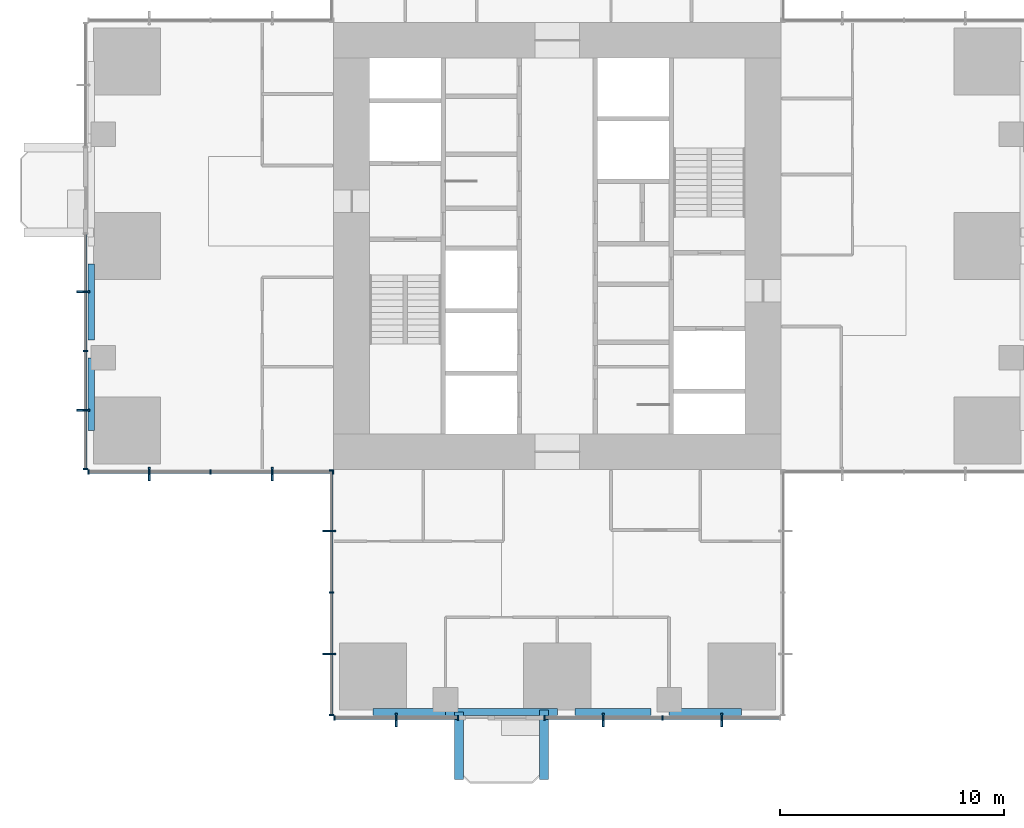
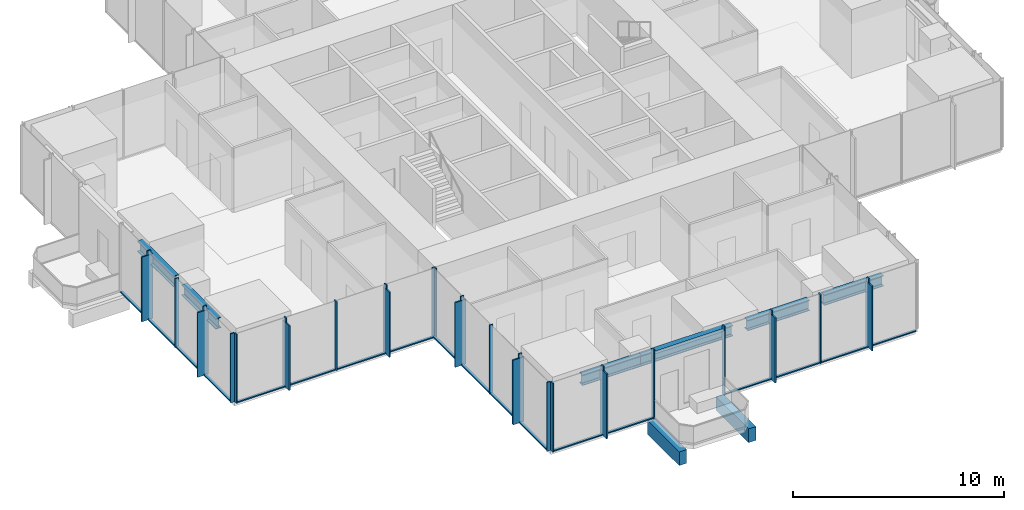
# One storey, part 2 of 13: 48 members, 8 beams, 5 elements without a shape of their own.
"""IFC4 building model written with IfcOpenShell, lengths in metres."""

from ifc_helpers import new_model, si_unit, direction, frame, origin, origin_2d, place, context, subcontext, project, spatial, rectangle, i_section, extrude, material, material_profile, profile_set, type_object, element, aggregate, save


model = new_model("IFC4")

# Units and contexts
model_context = context("Model", 3, precision=1e-05, world=origin(), true_north=direction((0.0, 1.0)))
body_context = subcontext(model_context, "Body", "Model", "MODEL_VIEW")
ifc_project = project(units=[si_unit("LENGTHUNIT", "METRE"), si_unit("AREAUNIT", "SQUARE_METRE"), si_unit("VOLUMEUNIT", "CUBIC_METRE"), si_unit("PLANEANGLEUNIT", "RADIAN"), si_unit("MASSUNIT", "GRAM", prefix="KILO")], contexts=[model_context])

# Site, building, storey
site_placement = place(None, origin())
site = spatial("IfcSite", under=ifc_project, at=site_placement, CompositionType="ELEMENT")
building_placement = place(site_placement, origin())
building = spatial("IfcBuilding", under=site, at=building_placement, Name="Svetlomir Tower", CompositionType="ELEMENT")
storey_placement = place(building_placement, frame((0.0, 0.0, 132.5)))
storey = spatial("IfcBuildingStorey", under=building, at=storey_placement, Name="L31", CompositionType="ELEMENT", Elevation=132.5)

# Beams
ifc_material_1 = material(Name="Concrete C60/75", Category="concrete")
ifc_material_profile_1 = material_profile(ifc_material_1, rectangle(XDim=0.39990234375, YDim=0.800048828125, at=origin_2d()), Name="RC 400x800")
ifc_profile_set_1 = profile_set([ifc_material_profile_1], Name="Concrete C60/75")
beam_type_1 = type_object("IfcBeamType", Name="BALCONY RIB RC 400x800", PredefinedType="BEAM", material=ifc_profile_set_1)
beam_1_placement = place(storey_placement, frame((16.60009765625, 0.14990234375, -0.64990234375), z_axis=(0.0, -1.0, 0.0), x_axis=(1.0, 0.0, 0.0)))
element("IfcBeam", 1, at=beam_1_placement, inside=storey, type_object=beam_type_1, Name="Balcony rib S 1 L31", PredefinedType="BEAM", context=body_context, shape_type="SweptSolid", body=[
    extrude(rectangle(XDim=0.39990234375, YDim=0.800048828125, at=origin_2d()), origin(), (0.0, 0.0, 1.0), 3.0),
])
beam_2_placement = place(storey_placement, frame((20.39990234375, 0.25, -0.64990234375), z_axis=(0.0, -1.0, 0.0), x_axis=(1.0, 0.0, 0.0)))
element("IfcBeam", 2, at=beam_2_placement, inside=storey, type_object=beam_type_1, Name="Balcony rib S 2 L31", PredefinedType="BEAM", context=body_context, shape_type="SweptSolid", body=[
    extrude(rectangle(XDim=0.39990234375, YDim=0.800048828125, at=origin_2d()), origin(), (0.0, 0.0, 1.0), 3.10009765625),
])

# Curtain wall, member
ifc_material_2 = material(Name="Bronze anodised aluminium curtain wall", Category="aluminium")
curtain_wall_type = type_object("IfcCurtainWallType", Name="CURTAIN WALL CW1 TOWER OFFICE", PredefinedType="NOTDEFINED", material=ifc_material_2)
curtain_wall_1_placement = place(storey_placement, origin())
curtain_wall_1 = element("IfcCurtainWall", 3, at=curtain_wall_1_placement, inside=storey, type_object=curtain_wall_type, Name="Curtain wall CW1 L31", PredefinedType="NOTDEFINED")
ifc_material_3 = material(Name="Bronze anodised aluminium", Category="aluminium")
ifc_material_profile_2 = material_profile(ifc_material_3, rectangle(XDim=0.080078125, YDim=0.60009765625, at=origin_2d()), Name="FIN 80x600")
ifc_profile_set_2 = profile_set([ifc_material_profile_2], Name="Bronze anodised aluminium 6063-T6")
member_type_1 = type_object("IfcMemberType", Name="BRONZE FIN 80x600", PredefinedType="USERDEFINED", material=ifc_profile_set_2)
member_1_placement = place(storey_placement, frame((13.800048828125, -0.199951171875, 0.0), z_axis=(0.0, 0.0, 1.0), x_axis=(1.0, 0.0, 0.0)))
member_1 = element("IfcMember", 4, at=member_1_placement, type_object=member_type_1, Name="Bronze fin L31", ObjectType="FIN", PredefinedType="USERDEFINED", context=body_context, shape_type="SweptSolid", body=[
    extrude(rectangle(XDim=0.080078125, YDim=0.60009765625, at=origin_2d()), origin(), (0.0, 0.0, 1.0), 3.75),
])

# Curtain wall, members
curtain_wall_2_placement = place(storey_placement, origin())
curtain_wall_2 = element("IfcCurtainWall", 5, at=curtain_wall_2_placement, inside=storey, type_object=curtain_wall_type, Name="Curtain wall CW1 L31", PredefinedType="NOTDEFINED")
member_2_placement = place(storey_placement, frame((23.050048828125, -0.199951171875, 0.0), z_axis=(0.0, 0.0, 1.0), x_axis=(1.0, 0.0, 0.0)))
member_2 = element("IfcMember", 6, at=member_2_placement, type_object=member_type_1, Name="Bronze fin L31", ObjectType="FIN", PredefinedType="USERDEFINED", context=body_context, shape_type="SweptSolid", body=[
    extrude(rectangle(XDim=0.080078125, YDim=0.60009765625, at=origin_2d()), origin(), (0.0, 0.0, 1.0), 3.75),
])
member_3_placement = place(storey_placement, frame((28.35009765625, -0.199951171875, 0.0), z_axis=(0.0, 0.0, 1.0), x_axis=(1.0, 0.0, 0.0)))
member_3 = element("IfcMember", 7, at=member_3_placement, type_object=member_type_1, Name="Bronze fin L31", ObjectType="FIN", PredefinedType="USERDEFINED", context=body_context, shape_type="SweptSolid", body=[
    extrude(rectangle(XDim=0.080078125, YDim=0.60009765625, at=origin_2d()), origin(), (0.0, 0.0, 1.0), 3.75),
])

curtain_wall_3_placement = place(storey_placement, origin())
curtain_wall_3 = element("IfcCurtainWall", 8, at=curtain_wall_3_placement, inside=storey, type_object=curtain_wall_type, Name="Curtain wall CW1 L31", PredefinedType="NOTDEFINED")
member_4_placement = place(storey_placement, frame((-0.199951171875, 18.949951171875, 0.0), z_axis=(0.0, 0.0, 1.0), x_axis=(0.0, 1.0, 0.0)))
member_4 = element("IfcMember", 9, at=member_4_placement, type_object=member_type_1, Name="Bronze fin L31", ObjectType="FIN", PredefinedType="USERDEFINED", context=body_context, shape_type="SweptSolid", body=[
    extrude(rectangle(XDim=0.080078125, YDim=0.60009765625, at=origin_2d()), origin(), (0.0, 0.0, 1.0), 3.75),
])
member_5_placement = place(storey_placement, frame((-0.199951171875, 13.64990234375, 0.0), z_axis=(0.0, 0.0, 1.0), x_axis=(0.0, 1.0, 0.0)))
member_5 = element("IfcMember", 10, at=member_5_placement, type_object=member_type_1, Name="Bronze fin L31", ObjectType="FIN", PredefinedType="USERDEFINED", context=body_context, shape_type="SweptSolid", body=[
    extrude(rectangle(XDim=0.080078125, YDim=0.60009765625, at=origin_2d()), origin(), (0.0, 0.0, 1.0), 3.75),
])

curtain_wall_4_placement = place(storey_placement, origin())
curtain_wall_4 = element("IfcCurtainWall", 11, at=curtain_wall_4_placement, inside=storey, type_object=curtain_wall_type, Name="Curtain wall CW1 L31", PredefinedType="NOTDEFINED")
member_6_placement = place(storey_placement, frame((2.75, 10.800048828125, 0.0), z_axis=(0.0, 0.0, 1.0), x_axis=(1.0, 0.0, 0.0)))
member_6 = element("IfcMember", 12, at=member_6_placement, type_object=member_type_1, Name="Bronze fin L31", ObjectType="FIN", PredefinedType="USERDEFINED", context=body_context, shape_type="SweptSolid", body=[
    extrude(rectangle(XDim=0.080078125, YDim=0.60009765625, at=origin_2d()), origin(), (0.0, 0.0, 1.0), 3.75),
])
member_7_placement = place(storey_placement, frame((8.25, 10.800048828125, 0.0), z_axis=(0.0, 0.0, 1.0), x_axis=(1.0, 0.0, 0.0)))
member_7 = element("IfcMember", 13, at=member_7_placement, type_object=member_type_1, Name="Bronze fin L31", ObjectType="FIN", PredefinedType="USERDEFINED", context=body_context, shape_type="SweptSolid", body=[
    extrude(rectangle(XDim=0.080078125, YDim=0.60009765625, at=origin_2d()), origin(), (0.0, 0.0, 1.0), 3.75),
])

curtain_wall_5_placement = place(storey_placement, origin())
curtain_wall_5 = element("IfcCurtainWall", 14, at=curtain_wall_5_placement, inside=storey, type_object=curtain_wall_type, Name="Curtain wall CW1 L31", PredefinedType="NOTDEFINED")
member_8_placement = place(storey_placement, frame((10.800048828125, 8.25, 0.0), z_axis=(0.0, 0.0, 1.0), x_axis=(0.0, 1.0, 0.0)))
member_8 = element("IfcMember", 15, at=member_8_placement, type_object=member_type_1, Name="Bronze fin L31", ObjectType="FIN", PredefinedType="USERDEFINED", context=body_context, shape_type="SweptSolid", body=[
    extrude(rectangle(XDim=0.080078125, YDim=0.60009765625, at=origin_2d()), origin(), (0.0, 0.0, 1.0), 3.75),
])
member_9_placement = place(storey_placement, frame((10.800048828125, 2.75, 0.0), z_axis=(0.0, 0.0, 1.0), x_axis=(0.0, 1.0, 0.0)))
member_9 = element("IfcMember", 16, at=member_9_placement, type_object=member_type_1, Name="Bronze fin L31", ObjectType="FIN", PredefinedType="USERDEFINED", context=body_context, shape_type="SweptSolid", body=[
    extrude(rectangle(XDim=0.080078125, YDim=0.60009765625, at=origin_2d()), origin(), (0.0, 0.0, 1.0), 3.75),
])

# Member
ifc_material_4 = material(Name="Bronze anodised aluminium", Category="aluminium")
ifc_material_profile_3 = material_profile(ifc_material_4, rectangle(XDim=0.06494140625, YDim=0.199951171875, at=origin_2d()), Name="AL 65x200")
ifc_profile_set_3 = profile_set([ifc_material_profile_3], Name="Bronze anodised aluminium 6063-T6")
member_type_2 = type_object("IfcMemberType", Name="CW1 MULLION 65x200", PredefinedType="MULLION", material=ifc_profile_set_3)
member_10_placement = place(storey_placement, frame((11.032470703125, -0.10009765625, 0.0), z_axis=(0.0, 0.0, 1.0), x_axis=(1.0, 0.0, 0.0)))
member_10 = element("IfcMember", 17, at=member_10_placement, type_object=member_type_2, Name="CW1 mullion 1", PredefinedType="MULLION", context=body_context, shape_type="SweptSolid", body=[
    extrude(rectangle(XDim=0.06494140625, YDim=0.199951171875, at=origin_2d()), origin(), (0.0, 0.0, 1.0), 4.0),
])

member_11_placement = place(storey_placement, frame((13.800048828125, -0.10009765625, 0.0), z_axis=(0.0, 0.0, 1.0), x_axis=(1.0, 0.0, 0.0)))
member_11 = element("IfcMember", 18, at=member_11_placement, type_object=member_type_2, Name="CW1 mullion 2", PredefinedType="MULLION", context=body_context, shape_type="SweptSolid", body=[
    extrude(rectangle(XDim=0.06494140625, YDim=0.199951171875, at=origin_2d()), origin(), (0.0, 0.0, 1.0), 4.0),
])

member_12_placement = place(storey_placement, frame((16.5673828125, -0.10009765625, 0.0), z_axis=(0.0, 0.0, 1.0), x_axis=(1.0, 0.0, 0.0)))
member_12 = element("IfcMember", 19, at=member_12_placement, type_object=member_type_2, Name="CW1 mullion 3", PredefinedType="MULLION", context=body_context, shape_type="SweptSolid", body=[
    extrude(rectangle(XDim=0.06494140625, YDim=0.199951171875, at=origin_2d()), origin(), (0.0, 0.0, 1.0), 4.0),
])

member_13_placement = place(storey_placement, frame((20.4326171875, -0.10009765625, 0.0), z_axis=(0.0, 0.0, 1.0), x_axis=(1.0, 0.0, 0.0)))
member_13 = element("IfcMember", 20, at=member_13_placement, type_object=member_type_2, Name="CW1 mullion 1", PredefinedType="MULLION", context=body_context, shape_type="SweptSolid", body=[
    extrude(rectangle(XDim=0.06494140625, YDim=0.199951171875, at=origin_2d()), origin(), (0.0, 0.0, 1.0), 4.0),
])

member_14_placement = place(storey_placement, frame((23.050048828125, -0.10009765625, 0.0), z_axis=(0.0, 0.0, 1.0), x_axis=(1.0, 0.0, 0.0)))
member_14 = element("IfcMember", 21, at=member_14_placement, type_object=member_type_2, Name="CW1 mullion 2", PredefinedType="MULLION", context=body_context, shape_type="SweptSolid", body=[
    extrude(rectangle(XDim=0.06494140625, YDim=0.199951171875, at=origin_2d()), origin(), (0.0, 0.0, 1.0), 4.0),
])

member_15_placement = place(storey_placement, frame((25.699951171875, -0.10009765625, 0.0), z_axis=(0.0, 0.0, 1.0), x_axis=(1.0, 0.0, 0.0)))
member_15 = element("IfcMember", 22, at=member_15_placement, type_object=member_type_2, Name="CW1 mullion 3", PredefinedType="MULLION", context=body_context, shape_type="SweptSolid", body=[
    extrude(rectangle(XDim=0.06494140625, YDim=0.199951171875, at=origin_2d()), origin(), (0.0, 0.0, 1.0), 4.0),
])

member_16_placement = place(storey_placement, frame((28.35009765625, -0.10009765625, 0.0), z_axis=(0.0, 0.0, 1.0), x_axis=(1.0, 0.0, 0.0)))
member_16 = element("IfcMember", 23, at=member_16_placement, type_object=member_type_2, Name="CW1 mullion 4", PredefinedType="MULLION", context=body_context, shape_type="SweptSolid", body=[
    extrude(rectangle(XDim=0.06494140625, YDim=0.199951171875, at=origin_2d()), origin(), (0.0, 0.0, 1.0), 4.0),
])

member_17_placement = place(storey_placement, frame((-0.10009765625, 18.949951171875, 0.0), z_axis=(0.0, 0.0, 1.0), x_axis=(0.0, -1.0, 0.0)))
member_17 = element("IfcMember", 24, at=member_17_placement, type_object=member_type_2, Name="CW1 mullion 2", PredefinedType="MULLION", context=body_context, shape_type="SweptSolid", body=[
    extrude(rectangle(XDim=0.06494140625, YDim=0.199951171875, at=origin_2d()), origin(), (0.0, 0.0, 1.0), 4.0),
])

member_18_placement = place(storey_placement, frame((-0.10009765625, 16.300048828125, 0.0), z_axis=(0.0, 0.0, 1.0), x_axis=(0.0, -1.0, 0.0)))
member_18 = element("IfcMember", 25, at=member_18_placement, type_object=member_type_2, Name="CW1 mullion 3", PredefinedType="MULLION", context=body_context, shape_type="SweptSolid", body=[
    extrude(rectangle(XDim=0.06494140625, YDim=0.199951171875, at=origin_2d()), origin(), (0.0, 0.0, 1.0), 4.0),
])

member_19_placement = place(storey_placement, frame((-0.10009765625, 13.64990234375, 0.0), z_axis=(0.0, 0.0, 1.0), x_axis=(0.0, -1.0, 0.0)))
member_19 = element("IfcMember", 26, at=member_19_placement, type_object=member_type_2, Name="CW1 mullion 4", PredefinedType="MULLION", context=body_context, shape_type="SweptSolid", body=[
    extrude(rectangle(XDim=0.06494140625, YDim=0.199951171875, at=origin_2d()), origin(), (0.0, 0.0, 1.0), 4.0),
])

member_20_placement = place(storey_placement, frame((-0.10009765625, 11.032470703125, 0.0), z_axis=(0.0, 0.0, 1.0), x_axis=(0.0, -1.0, 0.0)))
member_20 = element("IfcMember", 27, at=member_20_placement, type_object=member_type_2, Name="CW1 mullion 5", PredefinedType="MULLION", context=body_context, shape_type="SweptSolid", body=[
    extrude(rectangle(XDim=0.06494140625, YDim=0.199951171875, at=origin_2d()), origin(), (0.0, 0.0, 1.0), 4.0),
])

member_21_placement = place(storey_placement, frame((0.032470703125, 10.89990234375, 0.0), z_axis=(0.0, 0.0, 1.0), x_axis=(1.0, 0.0, 0.0)))
member_21 = element("IfcMember", 28, at=member_21_placement, type_object=member_type_2, Name="CW1 mullion 1", PredefinedType="MULLION", context=body_context, shape_type="SweptSolid", body=[
    extrude(rectangle(XDim=0.06494140625, YDim=0.199951171875, at=origin_2d()), origin(), (0.0, 0.0, 1.0), 4.0),
])

member_22_placement = place(storey_placement, frame((2.75, 10.89990234375, 0.0), z_axis=(0.0, 0.0, 1.0), x_axis=(1.0, 0.0, 0.0)))
member_22 = element("IfcMember", 29, at=member_22_placement, type_object=member_type_2, Name="CW1 mullion 2", PredefinedType="MULLION", context=body_context, shape_type="SweptSolid", body=[
    extrude(rectangle(XDim=0.06494140625, YDim=0.199951171875, at=origin_2d()), origin(), (0.0, 0.0, 1.0), 4.0),
])

member_23_placement = place(storey_placement, frame((5.5, 10.89990234375, 0.0), z_axis=(0.0, 0.0, 1.0), x_axis=(1.0, 0.0, 0.0)))
member_23 = element("IfcMember", 30, at=member_23_placement, type_object=member_type_2, Name="CW1 mullion 3", PredefinedType="MULLION", context=body_context, shape_type="SweptSolid", body=[
    extrude(rectangle(XDim=0.06494140625, YDim=0.199951171875, at=origin_2d()), origin(), (0.0, 0.0, 1.0), 4.0),
])

member_24_placement = place(storey_placement, frame((8.25, 10.89990234375, 0.0), z_axis=(0.0, 0.0, 1.0), x_axis=(1.0, 0.0, 0.0)))
member_24 = element("IfcMember", 31, at=member_24_placement, type_object=member_type_2, Name="CW1 mullion 4", PredefinedType="MULLION", context=body_context, shape_type="SweptSolid", body=[
    extrude(rectangle(XDim=0.06494140625, YDim=0.199951171875, at=origin_2d()), origin(), (0.0, 0.0, 1.0), 4.0),
])

member_25_placement = place(storey_placement, frame((10.967529296875, 10.89990234375, 0.0), z_axis=(0.0, 0.0, 1.0), x_axis=(1.0, 0.0, 0.0)))
member_25 = element("IfcMember", 32, at=member_25_placement, type_object=member_type_2, Name="CW1 mullion 5", PredefinedType="MULLION", context=body_context, shape_type="SweptSolid", body=[
    extrude(rectangle(XDim=0.06494140625, YDim=0.199951171875, at=origin_2d()), origin(), (0.0, 0.0, 1.0), 4.0),
])

member_26_placement = place(storey_placement, frame((10.89990234375, 10.967529296875, 0.0), z_axis=(0.0, 0.0, 1.0), x_axis=(0.0, -1.0, 0.0)))
member_26 = element("IfcMember", 33, at=member_26_placement, type_object=member_type_2, Name="CW1 mullion 1", PredefinedType="MULLION", context=body_context, shape_type="SweptSolid", body=[
    extrude(rectangle(XDim=0.06494140625, YDim=0.199951171875, at=origin_2d()), origin(), (0.0, 0.0, 1.0), 4.0),
])

member_27_placement = place(storey_placement, frame((10.89990234375, 8.25, 0.0), z_axis=(0.0, 0.0, 1.0), x_axis=(0.0, -1.0, 0.0)))
member_27 = element("IfcMember", 34, at=member_27_placement, type_object=member_type_2, Name="CW1 mullion 2", PredefinedType="MULLION", context=body_context, shape_type="SweptSolid", body=[
    extrude(rectangle(XDim=0.06494140625, YDim=0.199951171875, at=origin_2d()), origin(), (0.0, 0.0, 1.0), 4.0),
])

member_28_placement = place(storey_placement, frame((10.89990234375, 5.5, 0.0), z_axis=(0.0, 0.0, 1.0), x_axis=(0.0, -1.0, 0.0)))
member_28 = element("IfcMember", 35, at=member_28_placement, type_object=member_type_2, Name="CW1 mullion 3", PredefinedType="MULLION", context=body_context, shape_type="SweptSolid", body=[
    extrude(rectangle(XDim=0.06494140625, YDim=0.199951171875, at=origin_2d()), origin(), (0.0, 0.0, 1.0), 4.0),
])

member_29_placement = place(storey_placement, frame((10.89990234375, 2.75, 0.0), z_axis=(0.0, 0.0, 1.0), x_axis=(0.0, -1.0, 0.0)))
member_29 = element("IfcMember", 36, at=member_29_placement, type_object=member_type_2, Name="CW1 mullion 4", PredefinedType="MULLION", context=body_context, shape_type="SweptSolid", body=[
    extrude(rectangle(XDim=0.06494140625, YDim=0.199951171875, at=origin_2d()), origin(), (0.0, 0.0, 1.0), 4.0),
])

member_30_placement = place(storey_placement, frame((10.89990234375, 0.032470703125, 0.0), z_axis=(0.0, 0.0, 1.0), x_axis=(0.0, -1.0, 0.0)))
member_30 = element("IfcMember", 37, at=member_30_placement, type_object=member_type_2, Name="CW1 mullion 5", PredefinedType="MULLION", context=body_context, shape_type="SweptSolid", body=[
    extrude(rectangle(XDim=0.06494140625, YDim=0.199951171875, at=origin_2d()), origin(), (0.0, 0.0, 1.0), 4.0),
])

ifc_material_5 = material(Name="Bronze anodised aluminium", Category="aluminium")
ifc_material_profile_4 = material_profile(ifc_material_5, rectangle(XDim=0.139892578125, YDim=0.06494140625, at=origin_2d()), Name="AL 140x65")
ifc_profile_set_4 = profile_set([ifc_material_profile_4], Name="Bronze anodised aluminium 6063-T6")
member_type_3 = type_object("IfcMemberType", Name="CW1 TRANSOM 65x140", PredefinedType="USERDEFINED", material=ifc_profile_set_4)
member_31_placement = place(storey_placement, frame((11.06494140625, -0.10009765625, 0.032470703125), z_axis=(1.0, 0.0, 0.0), x_axis=(0.0, 1.0, 0.0)))
member_31 = element("IfcMember", 38, at=member_31_placement, type_object=member_type_3, Name="CW1 transom 1.1", ObjectType="TRANSOM", PredefinedType="USERDEFINED", context=body_context, shape_type="SweptSolid", body=[
    extrude(rectangle(XDim=0.139892578125, YDim=0.06494140625, at=origin_2d()), origin(), (0.0, 0.0, 1.0), 2.70263671875),
])

member_32_placement = place(storey_placement, frame((13.83251953125, -0.10009765625, 0.032470703125), z_axis=(1.0, 0.0, 0.0), x_axis=(0.0, 1.0, 0.0)))
member_32 = element("IfcMember", 39, at=member_32_placement, type_object=member_type_3, Name="CW1 transom 2.1", ObjectType="TRANSOM", PredefinedType="USERDEFINED", context=body_context, shape_type="SweptSolid", body=[
    extrude(rectangle(XDim=0.139892578125, YDim=0.06494140625, at=origin_2d()), origin(), (0.0, 0.0, 1.0), 2.702392578125),
])

aggregate(curtain_wall_1, [member_10, member_11, member_12, member_31, member_32, member_1])

member_33_placement = place(storey_placement, frame((20.465087890625, -0.10009765625, 0.032470703125), z_axis=(1.0, 0.0, 0.0), x_axis=(0.0, 1.0, 0.0)))
member_33 = element("IfcMember", 40, at=member_33_placement, type_object=member_type_3, Name="CW1 transom 1.1", ObjectType="TRANSOM", PredefinedType="USERDEFINED", context=body_context, shape_type="SweptSolid", body=[
    extrude(rectangle(XDim=0.139892578125, YDim=0.06494140625, at=origin_2d()), origin(), (0.0, 0.0, 1.0), 2.552490234375),
])

member_34_placement = place(storey_placement, frame((23.08251953125, -0.10009765625, 0.032470703125), z_axis=(1.0, 0.0, 0.0), x_axis=(0.0, 1.0, 0.0)))
member_34 = element("IfcMember", 41, at=member_34_placement, type_object=member_type_3, Name="CW1 transom 2.1", ObjectType="TRANSOM", PredefinedType="USERDEFINED", context=body_context, shape_type="SweptSolid", body=[
    extrude(rectangle(XDim=0.139892578125, YDim=0.06494140625, at=origin_2d()), origin(), (0.0, 0.0, 1.0), 2.5849609375),
])

member_35_placement = place(storey_placement, frame((25.732421875, -0.10009765625, 0.032470703125), z_axis=(1.0, 0.0, 0.0), x_axis=(0.0, 1.0, 0.0)))
member_35 = element("IfcMember", 42, at=member_35_placement, type_object=member_type_3, Name="CW1 transom 3.1", ObjectType="TRANSOM", PredefinedType="USERDEFINED", context=body_context, shape_type="SweptSolid", body=[
    extrude(rectangle(XDim=0.139892578125, YDim=0.06494140625, at=origin_2d()), origin(), (0.0, 0.0, 1.0), 2.5849609375),
])

member_36_placement = place(storey_placement, frame((28.382568359375, -0.10009765625, 0.032470703125), z_axis=(1.0, 0.0, 0.0), x_axis=(0.0, 1.0, 0.0)))
member_36 = element("IfcMember", 43, at=member_36_placement, type_object=member_type_3, Name="CW1 transom 4.1", ObjectType="TRANSOM", PredefinedType="USERDEFINED", context=body_context, shape_type="SweptSolid", body=[
    extrude(rectangle(XDim=0.139892578125, YDim=0.06494140625, at=origin_2d()), origin(), (0.0, 0.0, 1.0), 2.552490234375),
])

aggregate(curtain_wall_2, [member_13, member_14, member_15, member_16, member_33, member_34, member_35, member_36, member_2, member_3])

member_37_placement = place(storey_placement, frame((-0.10009765625, 21.534912109375, 0.032470703125), z_axis=(0.0, -1.0, 0.0), x_axis=(1.0, 0.0, 0.0)))
member_37 = element("IfcMember", 44, at=member_37_placement, type_object=member_type_3, Name="CW1 transom 1.1", ObjectType="TRANSOM", PredefinedType="USERDEFINED", context=body_context, shape_type="SweptSolid", body=[
    extrude(rectangle(XDim=0.139892578125, YDim=0.06494140625, at=origin_2d()), origin(), (0.0, 0.0, 1.0), 2.552490234375),
])

member_38_placement = place(storey_placement, frame((-0.10009765625, 18.91748046875, 0.032470703125), z_axis=(0.0, -1.0, 0.0), x_axis=(1.0, 0.0, 0.0)))
member_38 = element("IfcMember", 45, at=member_38_placement, type_object=member_type_3, Name="CW1 transom 2.1", ObjectType="TRANSOM", PredefinedType="USERDEFINED", context=body_context, shape_type="SweptSolid", body=[
    extrude(rectangle(XDim=0.139892578125, YDim=0.06494140625, at=origin_2d()), origin(), (0.0, 0.0, 1.0), 2.5849609375),
])

member_39_placement = place(storey_placement, frame((-0.10009765625, 16.267578125, 0.032470703125), z_axis=(0.0, -1.0, 0.0), x_axis=(1.0, 0.0, 0.0)))
member_39 = element("IfcMember", 46, at=member_39_placement, type_object=member_type_3, Name="CW1 transom 3.1", ObjectType="TRANSOM", PredefinedType="USERDEFINED", context=body_context, shape_type="SweptSolid", body=[
    extrude(rectangle(XDim=0.139892578125, YDim=0.06494140625, at=origin_2d()), origin(), (0.0, 0.0, 1.0), 2.5849609375),
])

member_40_placement = place(storey_placement, frame((-0.10009765625, 13.617431640625, 0.032470703125), z_axis=(0.0, -1.0, 0.0), x_axis=(1.0, 0.0, 0.0)))
member_40 = element("IfcMember", 47, at=member_40_placement, type_object=member_type_3, Name="CW1 transom 4.1", ObjectType="TRANSOM", PredefinedType="USERDEFINED", context=body_context, shape_type="SweptSolid", body=[
    extrude(rectangle(XDim=0.139892578125, YDim=0.06494140625, at=origin_2d()), origin(), (0.0, 0.0, 1.0), 2.552490234375),
])

aggregate(curtain_wall_3, [member_17, member_18, member_19, member_20, member_37, member_38, member_39, member_40, member_4, member_5])

member_41_placement = place(storey_placement, frame((0.06494140625, 10.89990234375, 0.032470703125), z_axis=(1.0, 0.0, 0.0), x_axis=(0.0, 1.0, 0.0)))
member_41 = element("IfcMember", 48, at=member_41_placement, type_object=member_type_3, Name="CW1 transom 1.1", ObjectType="TRANSOM", PredefinedType="USERDEFINED", context=body_context, shape_type="SweptSolid", body=[
    extrude(rectangle(XDim=0.139892578125, YDim=0.06494140625, at=origin_2d()), origin(), (0.0, 0.0, 1.0), 2.652587890625),
])

member_42_placement = place(storey_placement, frame((2.782470703125, 10.89990234375, 0.032470703125), z_axis=(1.0, 0.0, 0.0), x_axis=(0.0, 1.0, 0.0)))
member_42 = element("IfcMember", 49, at=member_42_placement, type_object=member_type_3, Name="CW1 transom 2.1", ObjectType="TRANSOM", PredefinedType="USERDEFINED", context=body_context, shape_type="SweptSolid", body=[
    extrude(rectangle(XDim=0.139892578125, YDim=0.06494140625, at=origin_2d()), origin(), (0.0, 0.0, 1.0), 2.68505859375),
])

member_43_placement = place(storey_placement, frame((5.532470703125, 10.89990234375, 0.032470703125), z_axis=(1.0, 0.0, 0.0), x_axis=(0.0, 1.0, 0.0)))
member_43 = element("IfcMember", 50, at=member_43_placement, type_object=member_type_3, Name="CW1 transom 3.1", ObjectType="TRANSOM", PredefinedType="USERDEFINED", context=body_context, shape_type="SweptSolid", body=[
    extrude(rectangle(XDim=0.139892578125, YDim=0.06494140625, at=origin_2d()), origin(), (0.0, 0.0, 1.0), 2.68505859375),
])

member_44_placement = place(storey_placement, frame((8.282470703125, 10.89990234375, 0.032470703125), z_axis=(1.0, 0.0, 0.0), x_axis=(0.0, 1.0, 0.0)))
member_44 = element("IfcMember", 51, at=member_44_placement, type_object=member_type_3, Name="CW1 transom 4.1", ObjectType="TRANSOM", PredefinedType="USERDEFINED", context=body_context, shape_type="SweptSolid", body=[
    extrude(rectangle(XDim=0.139892578125, YDim=0.06494140625, at=origin_2d()), origin(), (0.0, 0.0, 1.0), 2.652587890625),
])

aggregate(curtain_wall_4, [member_21, member_22, member_23, member_24, member_25, member_41, member_42, member_43, member_44, member_6, member_7])

member_45_placement = place(storey_placement, frame((10.89990234375, 10.93505859375, 0.032470703125), z_axis=(0.0, -1.0, 0.0), x_axis=(1.0, 0.0, 0.0)))
member_45 = element("IfcMember", 52, at=member_45_placement, type_object=member_type_3, Name="CW1 transom 1.1", ObjectType="TRANSOM", PredefinedType="USERDEFINED", context=body_context, shape_type="SweptSolid", body=[
    extrude(rectangle(XDim=0.139892578125, YDim=0.06494140625, at=origin_2d()), origin(), (0.0, 0.0, 1.0), 2.652587890625),
])

member_46_placement = place(storey_placement, frame((10.89990234375, 8.217529296875, 0.032470703125), z_axis=(0.0, -1.0, 0.0), x_axis=(1.0, 0.0, 0.0)))
member_46 = element("IfcMember", 53, at=member_46_placement, type_object=member_type_3, Name="CW1 transom 2.1", ObjectType="TRANSOM", PredefinedType="USERDEFINED", context=body_context, shape_type="SweptSolid", body=[
    extrude(rectangle(XDim=0.139892578125, YDim=0.06494140625, at=origin_2d()), origin(), (0.0, 0.0, 1.0), 2.68505859375),
])

member_47_placement = place(storey_placement, frame((10.89990234375, 5.467529296875, 0.032470703125), z_axis=(0.0, -1.0, 0.0), x_axis=(1.0, 0.0, 0.0)))
member_47 = element("IfcMember", 54, at=member_47_placement, type_object=member_type_3, Name="CW1 transom 3.1", ObjectType="TRANSOM", PredefinedType="USERDEFINED", context=body_context, shape_type="SweptSolid", body=[
    extrude(rectangle(XDim=0.139892578125, YDim=0.06494140625, at=origin_2d()), origin(), (0.0, 0.0, 1.0), 2.68505859375),
])

member_48_placement = place(storey_placement, frame((10.89990234375, 2.717529296875, 0.032470703125), z_axis=(0.0, -1.0, 0.0), x_axis=(1.0, 0.0, 0.0)))
member_48 = element("IfcMember", 55, at=member_48_placement, type_object=member_type_3, Name="CW1 transom 4.1", ObjectType="TRANSOM", PredefinedType="USERDEFINED", context=body_context, shape_type="SweptSolid", body=[
    extrude(rectangle(XDim=0.139892578125, YDim=0.06494140625, at=origin_2d()), origin(), (0.0, 0.0, 1.0), 2.652587890625),
])

aggregate(curtain_wall_5, [member_26, member_27, member_28, member_29, member_30, member_45, member_46, member_47, member_48, member_8, member_9])

# Beams
ifc_material_6 = material(Name="Steel S355", Category="steel")
ifc_material_profile_5 = material_profile(ifc_material_6, i_section(OverallWidth=0.304931640625, OverallDepth=0.6201171875, WebThickness=0.02099609375, FlangeThickness=0.0400390625, FilletRadius=0.027099609375, at=origin_2d()), Name="HEM 600")
ifc_profile_set_5 = profile_set([ifc_material_profile_5], Name="Steel S355")
beam_type_2 = type_object("IfcBeamType", Name="EDGE BEAM HEM 600", PredefinedType="SPANDREL", material=ifc_profile_set_5)
for number, where, z_axis, x_axis, name in (
    (56, (12.75, 0.152587890625, 3.43994140625), (1.0, 0.0, 0.0), (0.0, 1.0, 0.0), "Edge beam 11/0 to 16/0 under L32"),
    (57, (0.152587890625, 12.75, 3.43994140625), (0.0, 1.0, 0.0), (-1.0, 0.0, 0.0), "Edge beam 0/11 to 0/16 under L32"),
):
    element("IfcBeam", number, at=place(storey_placement, frame(where, z_axis=z_axis, x_axis=x_axis)), inside=storey, type_object=beam_type_2, Name=name, PredefinedType="SPANDREL", context=body_context, shape_type="SweptSolid", body=[
        extrude(i_section(OverallWidth=0.304931640625, OverallDepth=0.6201171875, WebThickness=0.02099609375, FlangeThickness=0.0400390625, FilletRadius=0.027099609375, at=origin_2d()), origin(), (0.0, 0.0, 1.0), 3.25),
    ])
beam_3_placement = place(storey_placement, frame((16.0, 0.152587890625, 3.43994140625), z_axis=(1.0, 0.0, 0.0), x_axis=(0.0, 1.0, 0.0)))
element("IfcBeam", 58, at=beam_3_placement, inside=storey, type_object=beam_type_2, Name="Edge beam 16/0 to 21/0 under L32", PredefinedType="SPANDREL", context=body_context, shape_type="SweptSolid", body=[
    extrude(i_section(OverallWidth=0.304931640625, OverallDepth=0.6201171875, WebThickness=0.02099609375, FlangeThickness=0.0400390625, FilletRadius=0.027099609375, at=origin_2d()), origin(), (0.0, 0.0, 1.0), 5.0),
])
for number, where, z_axis, x_axis, name in (
    (59, (0.152587890625, 16.800048828125, 3.43994140625), (0.0, 1.0, 0.0), (-1.0, 0.0, 0.0), "Edge beam 0/16 to 0/21 under L32"),
    (60, (21.800048828125, 0.152587890625, 3.43994140625), (1.0, 0.0, 0.0), (0.0, 1.0, 0.0), "Edge beam 21/0 to 26/0 under L32"),
):
    element("IfcBeam", number, at=place(storey_placement, frame(where, z_axis=z_axis, x_axis=x_axis)), inside=storey, type_object=beam_type_2, Name=name, PredefinedType="SPANDREL", context=body_context, shape_type="SweptSolid", body=[
        extrude(i_section(OverallWidth=0.304931640625, OverallDepth=0.6201171875, WebThickness=0.02099609375, FlangeThickness=0.0400390625, FilletRadius=0.027099609375, at=origin_2d()), origin(), (0.0, 0.0, 1.0), 3.39990234375),
    ])
beam_4_placement = place(storey_placement, frame((26.0, 0.152587890625, 3.43994140625), z_axis=(1.0, 0.0, 0.0), x_axis=(0.0, 1.0, 0.0)))
element("IfcBeam", 61, at=beam_4_placement, inside=storey, type_object=beam_type_2, Name="Edge beam 26/0 to 31/0 under L32", PredefinedType="SPANDREL", context=body_context, shape_type="SweptSolid", body=[
    extrude(i_section(OverallWidth=0.304931640625, OverallDepth=0.6201171875, WebThickness=0.02099609375, FlangeThickness=0.0400390625, FilletRadius=0.027099609375, at=origin_2d()), origin(), (0.0, 0.0, 1.0), 3.25),
])

save(model, "model.ifc")
